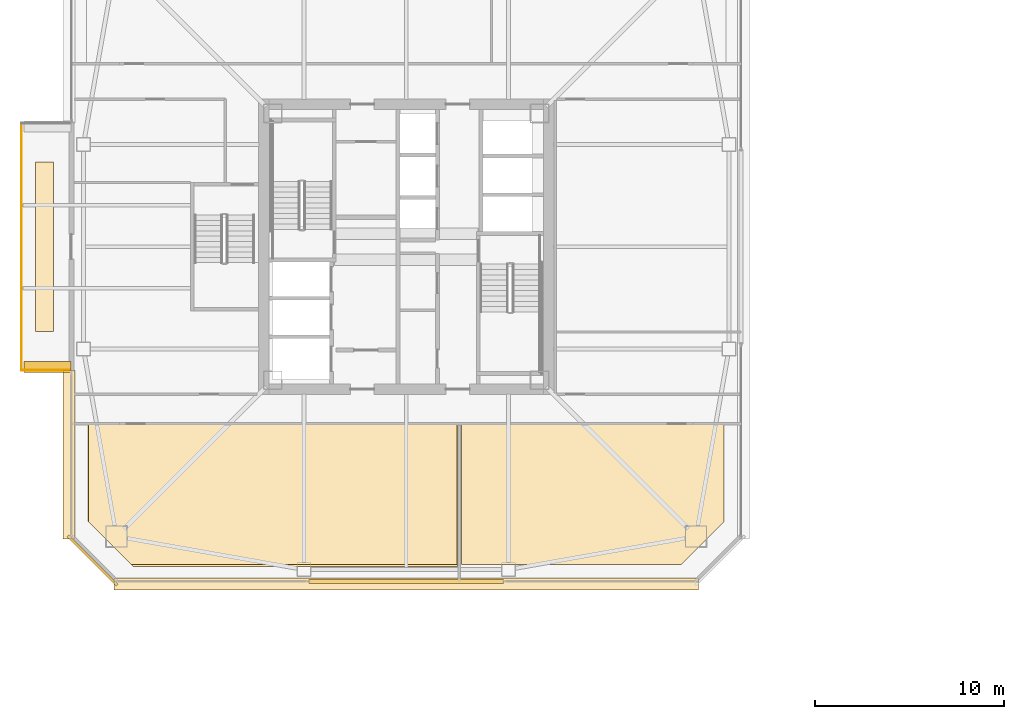
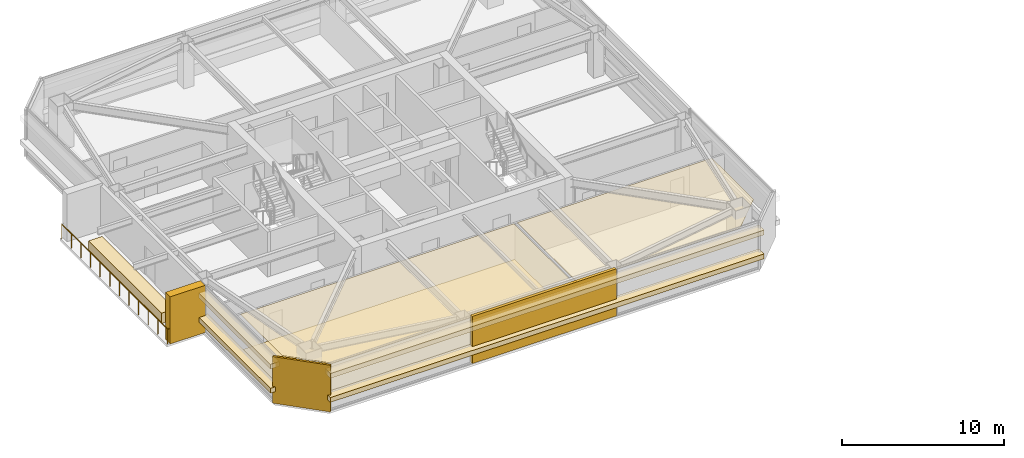
# One storey, part 36 of 41: 11 coverings, 2 railings.
"""IFC4 building model written with IfcOpenShell, lengths in metres."""

from ifc_helpers import new_model, si_unit, direction, frame, origin, origin_2d, place, context, subcontext, project, spatial, polyline, rectangle, outline, extrude, material, layer, layer_set, type_object, element, save


model = new_model("IFC4")

# Units and contexts
model_context = context("Model", 3, precision=1e-05, world=origin(), true_north=direction((0.0, 1.0)))
body_context = subcontext(model_context, "Body", "Model", "MODEL_VIEW")
ifc_project = project(units=[si_unit("LENGTHUNIT", "METRE"), si_unit("AREAUNIT", "SQUARE_METRE"), si_unit("VOLUMEUNIT", "CUBIC_METRE"), si_unit("PLANEANGLEUNIT", "RADIAN"), si_unit("MASSUNIT", "GRAM", prefix="KILO")], contexts=[model_context])

# Site, building, storey
site_placement = place(None, origin())
site = spatial("IfcSite", under=ifc_project, at=site_placement, CompositionType="ELEMENT")
building_placement = place(site_placement, origin())
building = spatial("IfcBuilding", under=site, at=building_placement, Name="Tashvorn Skyway Center", CompositionType="ELEMENT")
storey_placement = place(building_placement, frame((0.0, 0.0, 192.5)))
storey = spatial("IfcBuildingStorey", under=building, at=storey_placement, Name="L52", CompositionType="ELEMENT", Elevation=192.5)

# Coverings
ifc_material_1 = material(Name="Precast concrete C40/50", Category="concrete")
ifc_layer_1 = layer(ifc_material_1, 0.199951171875)
ifc_layer_set_1 = layer_set([ifc_layer_1], Name="Precast concrete C40/50")
covering_type_1 = type_object("IfcCoveringType", Name="COV-BRACE-CLAD", PredefinedType="CLADDING", material=ifc_layer_set_1)
covering_1_placement = place(storey_placement, frame((42.0, 14.320068359375, 0.0), z_axis=(0.0, 0.0, 1.0), x_axis=(-1.0, 0.0, 0.0)))
element("IfcCovering", 1, at=covering_1_placement, inside=storey, type_object=covering_type_1, Name="Tower 1 L52 South Unitised Curtain Wall Mega-Brace Cladding Band 1", PredefinedType="CLADDING", context=body_context, shape_type="SweptSolid", body=[
    extrude(rectangle(XDim=10.25341796875, YDim=0.199951171875, at=origin_2d()), origin(), (0.0, 0.0, 1.0), 3.550048828125),
])
ifc_material_2 = material(Name="Mineral-fibre acoustic ceiling tile on suspended grid")
ifc_layer_2 = layer(ifc_material_2, 0.02001953125)
ifc_layer_set_2 = layer_set([ifc_layer_2], Name="Mineral-fibre acoustic ceiling tile on suspended grid")
covering_type_2 = type_object("IfcCoveringType", Name="COV-CEIL-20", PredefinedType="CEILING", material=ifc_layer_set_2)
covering_2_placement = place(storey_placement, frame((0.0, 0.0, 2.702880859375)))
element("IfcCovering", 2, at=covering_2_placement, inside=storey, type_object=covering_type_2, Name="Tower 1 L52 Wellness Clinic Acoustic Ceiling", PredefinedType="CEILING", context=body_context, shape_type="SweptSolid", body=[
    extrude(outline(polyline([(25.219970703125, 22.610107421875), (44.679931640625, 22.610107421875), (44.679931640625, 15.219970703125), (27.47998046875, 15.219970703125), (25.219970703125, 17.47998046875), (25.219970703125, 22.610107421875)])), origin(), (0.0, 0.0, 1.0), 0.02001953125),
])
covering_3_placement = place(storey_placement, frame((0.0, 0.0, 2.702880859375)))
element("IfcCovering", 3, at=covering_3_placement, inside=storey, type_object=covering_type_2, Name="Tower 1 L52 Reading Lounge Acoustic Ceiling", PredefinedType="CEILING", context=body_context, shape_type="SweptSolid", body=[
    extrude(outline(polyline([(44.919921875, 15.219970703125), (44.919921875, 22.610107421875), (58.780029296875, 22.610107421875), (58.780029296875, 17.47998046875), (56.52001953125, 15.219970703125), (44.919921875, 15.219970703125)])), origin(), (0.0, 0.0, 1.0), 0.02001953125),
])
ifc_material_3 = material(Name="Polished Mojave desert-aggregate terrazzo and cover plate")
ifc_layer_3 = layer(ifc_material_3, 0.0400390625)
ifc_layer_set_3 = layer_set([ifc_layer_3], Name="Polished Mojave desert-aggregate terrazzo and cover plate")
covering_type_3 = type_object("IfcCoveringType", Name="COV-FLR-40", PredefinedType="FLOORING", material=ifc_layer_set_3)
covering_4_placement = place(storey_placement, origin())
element("IfcCovering", 4, at=covering_4_placement, inside=storey, type_object=covering_type_3, Name="Tower 1 L52 Wellness Clinic Finish Flooring", PredefinedType="FLOORING", context=body_context, shape_type="SweptSolid", body=[
    extrude(outline(polyline([(27.60009765625, 15.10009765625), (25.179931640625, 17.52001953125), (25.179931640625, 22.570068359375), (44.719970703125, 22.570068359375), (44.719970703125, 15.10009765625), (27.60009765625, 15.10009765625)])), origin(), (0.0, 0.0, 1.0), 0.0400390625),
])
ifc_material_4 = material(Name="Perforated ceramic-coated bronze aluminium solar screen", Category="aluminium")
ifc_layer_4 = layer(ifc_material_4, 0.85009765625)
ifc_layer_set_4 = layer_set([ifc_layer_4], Name="Perforated ceramic-coated bronze aluminium solar screen")
covering_type_4 = type_object("IfcCoveringType", Name="COV-SOLAR-BAND", PredefinedType="CLADDING", material=ifc_layer_set_4)
for number, where, z_axis, x_axis, name in (
    (5, (42.0, 14.179931640625, 0.919921875), (0.0, 0.0, 1.0), (-1.0, 0.0, 0.0), "L52 Perforated Ceramic-Metal Solar Screen Louvre Band South 1"),
    (6, (42.0, 14.179931640625, 2.7197265625), (0.0, 0.0, 1.0), (-1.0, 0.0, 0.0), "L52 Perforated Ceramic-Metal Solar Screen Louvre Band South 2"),
):
    element("IfcCovering", number, at=place(storey_placement, frame(where, z_axis=z_axis, x_axis=x_axis)), inside=storey, type_object=covering_type_4, Name=name, PredefinedType="CLADDING", context=body_context, shape_type="SweptSolid", body=[
        extrude(rectangle(XDim=30.8798828125, YDim=0.639892578125, at=origin_2d()), origin(), (0.0, 0.0, 1.0), 0.360107421875),
    ])
for number, where, z_axis, x_axis, name in (
    (7, (24.179931640625, 21.010009765625, 0.919921875), (0.0, 0.0, 1.0), (0.0, 1.0, 0.0), "L52 Perforated Ceramic-Metal Solar Screen Louvre Band West 1"),
    (8, (24.179931640625, 21.010009765625, 2.7197265625), (0.0, 0.0, 1.0), (0.0, 1.0, 0.0), "L52 Perforated Ceramic-Metal Solar Screen Louvre Band West 2"),
):
    element("IfcCovering", number, at=place(storey_placement, frame(where, z_axis=z_axis, x_axis=x_axis)), inside=storey, type_object=covering_type_4, Name=name, PredefinedType="CLADDING", context=body_context, shape_type="SweptSolid", body=[
        extrude(rectangle(XDim=8.89990234375, YDim=0.639892578125, at=origin_2d()), origin(), (0.0, 0.0, 1.0), 0.360107421875),
    ])
ifc_layer_5 = layer(ifc_material_1, 0.35009765625)
ifc_layer_set_5 = layer_set([ifc_layer_5], Name="Precast concrete C40/50")
covering_type_5 = type_object("IfcCoveringType", Name="COV-STONE-TRIM", PredefinedType="CLADDING", material=ifc_layer_set_5)
covering_5_placement = place(storey_placement, frame((23.050048828125, 25.64990234375, 0.0), z_axis=(0.0, 0.0, 1.0), x_axis=(0.0, 1.0, 0.0)))
element("IfcCovering", 9, at=covering_5_placement, inside=storey, type_object=covering_type_5, Name="Tower 1 L52 Sky Garden Loggia Pier L", PredefinedType="CLADDING", context=body_context, shape_type="SweptSolid", body=[
    extrude(rectangle(XDim=0.580078125, YDim=2.5, at=origin_2d()), origin(), (0.0, 0.0, 1.0), 3.550048828125),
])
covering_6_placement = place(storey_placement, frame((22.89990234375, 32.0, 0.0), z_axis=(0.0, 0.0, 1.0), x_axis=(0.0, 1.0, 0.0)))
element("IfcCovering", 10, at=covering_6_placement, inside=storey, type_object=covering_type_5, Name="Tower 1 L52 Sky Garden Stone Planter Bed", PredefinedType="CLADDING", context=body_context, shape_type="SweptSolid", body=[
    extrude(rectangle(XDim=8.97607421875, YDim=0.949951171875, at=origin_2d()), origin(), (0.0, 0.0, 1.0), 0.800048828125),
])
covering_7_placement = place(storey_placement, frame((25.429931640625, 15.429931640625, 0.02001953125), z_axis=(0.0, 0.0, 1.0), x_axis=(-0.707106781187, 0.707106781187, 0.0)))
element("IfcCovering", 11, at=covering_7_placement, inside=storey, type_object=covering_type_5, Name="Tower 1 L52 SW Mojave Limestone Corner Quoin", PredefinedType="CLADDING", context=body_context, shape_type="SweptSolid", body=[
    extrude(rectangle(XDim=3.695556640625, YDim=0.139892578125, at=origin_2d()), origin(), (0.0, 0.0, 1.0), 3.510009765625),
])

# Railings
ifc_material_5 = material(Name="Galvanized steel S355", Category="steel")
railing_type = type_object("IfcRailingType", Name="RAIL-GUARD-1120", PredefinedType="GUARDRAIL", material=ifc_material_5)
railing_1_placement = place(storey_placement, frame((24.199951171875, 25.47998046875, 0.0)))
element("IfcRailing", 12, at=railing_1_placement, inside=storey, type_object=railing_type, Name="L52 Tower 1 Terrace Guardrail 01", PredefinedType="GUARDRAIL", context=body_context, shape_type="SweptSolid", body=[
    extrude(rectangle(XDim=0.048095703125, YDim=0.048095703125, at=origin_2d()), frame((0.0, 0.0, 1.09619140625), z_axis=(-1.0, 0.0, 0.0), x_axis=(0.0, -1.0, 0.0)), (0.0, 0.0, 1.0), 2.52001953125),
    extrude(rectangle(XDim=0.0419921875, YDim=0.0419921875, at=origin_2d()), origin(), (0.0, 0.0, 1.0), 1.072021484375),
    extrude(rectangle(XDim=0.0419921875, YDim=0.0419921875, at=origin_2d()), frame((-0.840087890625, 0.0, 0.0)), (0.0, 0.0, 1.0), 1.072021484375),
    extrude(rectangle(XDim=0.0419921875, YDim=0.0419921875, at=origin_2d()), frame((-1.679931640625, 0.0, 0.0)), (0.0, 0.0, 1.0), 1.072021484375),
    extrude(rectangle(XDim=0.0419921875, YDim=0.0419921875, at=origin_2d()), frame((-2.52001953125, 0.0, 0.0)), (0.0, 0.0, 1.0), 1.072021484375),
])
railing_2_placement = place(storey_placement, frame((21.679931640625, 25.47998046875, 0.0)))
element("IfcRailing", 13, at=railing_2_placement, inside=storey, type_object=railing_type, Name="L52 Tower 1 Terrace Guardrail 02", PredefinedType="GUARDRAIL", context=body_context, shape_type="SweptSolid", body=[
    extrude(rectangle(XDim=0.048095703125, YDim=0.048095703125, at=origin_2d()), frame((0.0, 0.0, 1.09619140625), z_axis=(0.0, 1.0, 0.0), x_axis=(-1.0, 0.0, 0.0)), (0.0, 0.0, 1.0), 13.0400390625),
    extrude(rectangle(XDim=0.0419921875, YDim=0.0419921875, at=origin_2d()), origin(), (0.0, 0.0, 1.0), 1.072021484375),
    extrude(rectangle(XDim=0.0419921875, YDim=0.0419921875, at=origin_2d()), frame((0.0, 1.185546875, 0.0)), (0.0, 0.0, 1.0), 1.072021484375),
    extrude(rectangle(XDim=0.0419921875, YDim=0.0419921875, at=origin_2d()), frame((0.0, 2.370849609375, 0.0)), (0.0, 0.0, 1.0), 1.072021484375),
    extrude(rectangle(XDim=0.0419921875, YDim=0.0419921875, at=origin_2d()), frame((0.0, 3.556396484375, 0.0)), (0.0, 0.0, 1.0), 1.072021484375),
    extrude(rectangle(XDim=0.0419921875, YDim=0.0419921875, at=origin_2d()), frame((0.0, 4.741943359375, 0.0)), (0.0, 0.0, 1.0), 1.072021484375),
    extrude(rectangle(XDim=0.0419921875, YDim=0.0419921875, at=origin_2d()), frame((0.0, 5.92724609375, 0.0)), (0.0, 0.0, 1.0), 1.072021484375),
    extrude(rectangle(XDim=0.0419921875, YDim=0.0419921875, at=origin_2d()), frame((0.0, 7.11279296875, 0.0)), (0.0, 0.0, 1.0), 1.072021484375),
    extrude(rectangle(XDim=0.0419921875, YDim=0.0419921875, at=origin_2d()), frame((0.0, 8.298095703125, 0.0)), (0.0, 0.0, 1.0), 1.072021484375),
    extrude(rectangle(XDim=0.0419921875, YDim=0.0419921875, at=origin_2d()), frame((0.0, 9.483642578125, 0.0)), (0.0, 0.0, 1.0), 1.072021484375),
    extrude(rectangle(XDim=0.0419921875, YDim=0.0419921875, at=origin_2d()), frame((0.0, 10.669189453125, 0.0)), (0.0, 0.0, 1.0), 1.072021484375),
    extrude(rectangle(XDim=0.0419921875, YDim=0.0419921875, at=origin_2d()), frame((0.0, 11.8544921875, 0.0)), (0.0, 0.0, 1.0), 1.072021484375),
    extrude(rectangle(XDim=0.0419921875, YDim=0.0419921875, at=origin_2d()), frame((0.0, 13.0400390625, 0.0)), (0.0, 0.0, 1.0), 1.072021484375),
])

save(model, "model.ifc")
